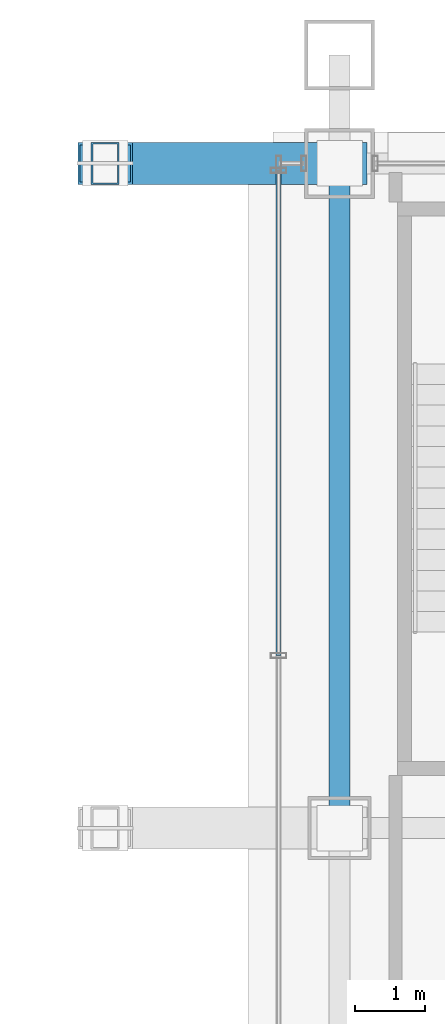
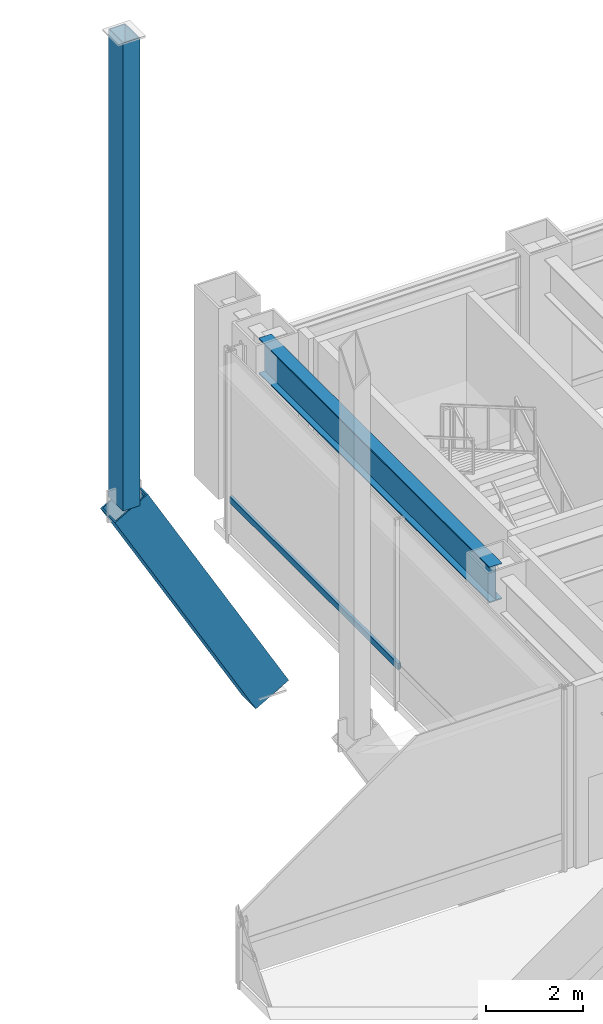
# One storey, part 24 of 40: 3 members, 1 beam, 1 element without a shape of its own.
"""IFC4 building model written with IfcOpenShell, lengths in metres."""

from ifc_helpers import new_model, si_unit, direction, frame, origin, origin_2d, place, context, subcontext, project, spatial, hollow_rectangle, i_section, extrude, material, layer, layer_set, material_profile, profile_set, type_object, element, aggregate, save


model = new_model("IFC4")

# Units and contexts
model_context = context("Model", 3, precision=1e-05, world=origin(), true_north=direction((0.0, 1.0)))
body_context = subcontext(model_context, "Body", "Model", "MODEL_VIEW")
ifc_project = project(units=[si_unit("LENGTHUNIT", "METRE"), si_unit("AREAUNIT", "SQUARE_METRE"), si_unit("VOLUMEUNIT", "CUBIC_METRE"), si_unit("PLANEANGLEUNIT", "RADIAN"), si_unit("MASSUNIT", "GRAM", prefix="KILO")], contexts=[model_context])

# Site, building, storey
site_placement = place(None, origin())
site = spatial("IfcSite", under=ifc_project, at=site_placement, CompositionType="ELEMENT")
building_placement = place(site_placement, origin())
building = spatial("IfcBuilding", under=site, at=building_placement, Name="Brelmoor Portico Tower", CompositionType="ELEMENT")
storey_placement = place(building_placement, frame((0.0, 0.0, 4.800048828125)))
storey = spatial("IfcBuildingStorey", under=building, at=storey_placement, Name="L01", CompositionType="ELEMENT", Elevation=4.800048828125)

# Beam
ifc_material_1 = material(Name="Steel Q355B", Category="steel")
ifc_material_profile_1 = material_profile(ifc_material_1, i_section(OverallWidth=0.300048828125, OverallDepth=0.89990234375, WebThickness=0.01611328125, FlangeThickness=0.028076171875, at=origin_2d()), Name="HN 900x300x16x28")
ifc_profile_set_1 = profile_set([ifc_material_profile_1], Name="Steel Q355B")
beam_type = type_object("IfcBeamType", Name="BM-PG-900", PredefinedType="BEAM", material=ifc_profile_set_1)
beam_placement = place(storey_placement, frame((14.550048828125, 18.050048828125, 4.1298828125), z_axis=(0.0, 1.0, 0.0), x_axis=(-1.0, 0.0, 0.0)))
element("IfcBeam", 1, at=beam_placement, inside=storey, type_object=beam_type, Name="L01 Primary Floor Girder PG-17", PredefinedType="BEAM", context=body_context, shape_type="SweptSolid", body=[
    extrude(i_section(OverallWidth=0.300048828125, OverallDepth=0.89990234375, WebThickness=0.01611328125, FlangeThickness=0.028076171875, at=origin_2d()), origin(), (0.0, 0.0, 1.0), 9.5),
])

# Members
ifc_material_2 = material(Name="Steel Q420B", Category="steel")
ifc_material_profile_2 = material_profile(ifc_material_2, hollow_rectangle(XDim=0.60009765625, YDim=0.89990234375, WallThickness=0.035888671875, at=origin_2d()), Name="RHS 600x900x36")
ifc_profile_set_2 = profile_set([ifc_material_profile_2], Name="Steel Q420B")
member_type_1 = type_object("IfcMemberType", Name="MB-ARCH-RIB", PredefinedType="CHORD", material=ifc_profile_set_2)
member_1_placement = place(storey_placement, frame((11.199951171875, 27.550048828125, 1.599853515625), z_axis=(0.496957759354, 0.0, -0.867774731954), x_axis=(0.0, 1.0, 0.0)))
element("IfcMember", 2, at=member_1_placement, inside=storey, type_object=member_type_1, Name="Giant Portico Arch Rib N1-8", PredefinedType="CHORD", context=body_context, shape_type="SweptSolid", body=[
    extrude(hollow_rectangle(XDim=0.60009765625, YDim=0.89990234375, WallThickness=0.035888671875, at=origin_2d()), origin(), (0.0, 0.0, 1.0), 6.7412109375),
])
ifc_material_profile_3 = material_profile(ifc_material_1, hollow_rectangle(XDim=0.39990234375, YDim=0.60009765625, WallThickness=0.02392578125, at=origin_2d()), Name="RHS 400x600x24")
ifc_profile_set_3 = profile_set([ifc_material_profile_3], Name="Steel Q355B")
member_type_2 = type_object("IfcMemberType", Name="MB-ARCH-STRUT", PredefinedType="BRACE", material=ifc_profile_set_3)
member_2_placement = place(storey_placement, frame((11.199951171875, 27.550048828125, 1.599853515625), z_axis=(0.0, 0.0, 1.0), x_axis=(1.0, 0.0, 0.0)))
element("IfcMember", 3, at=member_2_placement, inside=storey, type_object=member_type_2, Name="Portico Arch Spandrel Strut N1-6", PredefinedType="BRACE", context=body_context, shape_type="SweptSolid", body=[
    extrude(hollow_rectangle(XDim=0.39990234375, YDim=0.60009765625, WallThickness=0.02392578125, at=origin_2d()), origin(), (0.0, 0.0, 1.0), 11.755126953125),
])

# Curtain wall, member
ifc_material_3 = material(Name="Anodised Aluminium Alloy 6063-T6", Category="aluminium")
ifc_layer = layer(ifc_material_3, 0.179931640625)
ifc_layer_set = layer_set([ifc_layer], Name="Anodised Aluminium Alloy 6063-T6")
curtain_wall_type = type_object("IfcCurtainWallType", Name="CW-PODIUM-ARCH", PredefinedType="NOTDEFINED", material=ifc_layer_set)
curtain_wall_placement = place(storey_placement, origin())
curtain_wall = element("IfcCurtainWall", 4, at=curtain_wall_placement, inside=storey, type_object=curtain_wall_type, Name="L01 Curtain Wall CW-L01-10", PredefinedType="NOTDEFINED")
ifc_material_profile_4 = material_profile(ifc_material_3, hollow_rectangle(XDim=0.070068359375, YDim=0.159912109375, WallThickness=0.00390625, at=origin_2d()), Name="ALU TRANSOM 70x160")
ifc_profile_set_4 = profile_set([ifc_material_profile_4], Name="Anodised Aluminium Alloy 6063-T6")
member_type_3 = type_object("IfcMemberType", Name="MB-CW-TRAN-160", PredefinedType="USERDEFINED", material=ifc_profile_set_4)
member_3_placement = place(storey_placement, frame((13.679931640625, 20.514892578125, 0.849853515625), z_axis=(0.0, 1.0, 0.0), x_axis=(-1.0, 0.0, 0.0)))
member_3 = element("IfcMember", 5, at=member_3_placement, type_object=member_type_3, Name="CW-L01-10 Transom 1-01", ObjectType="TRANSOM", PredefinedType="USERDEFINED", context=body_context, shape_type="SweptSolid", body=[
    extrude(hollow_rectangle(XDim=0.070068359375, YDim=0.159912109375, WallThickness=0.00390625, at=origin_2d()), origin(), (0.0, 0.0, 1.0), 6.93505859375),
])
aggregate(curtain_wall, [member_3])

save(model, "model.ifc")
